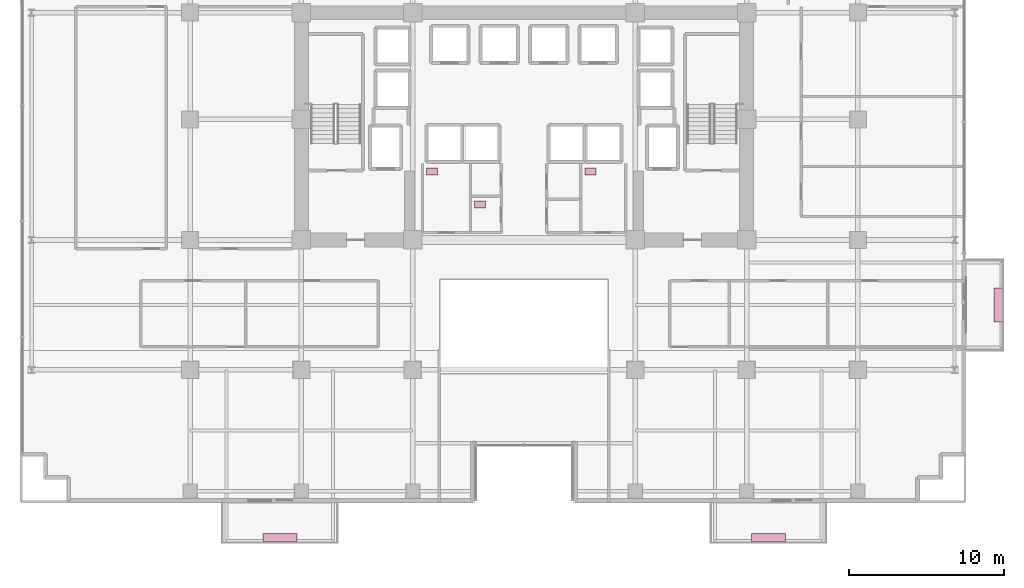
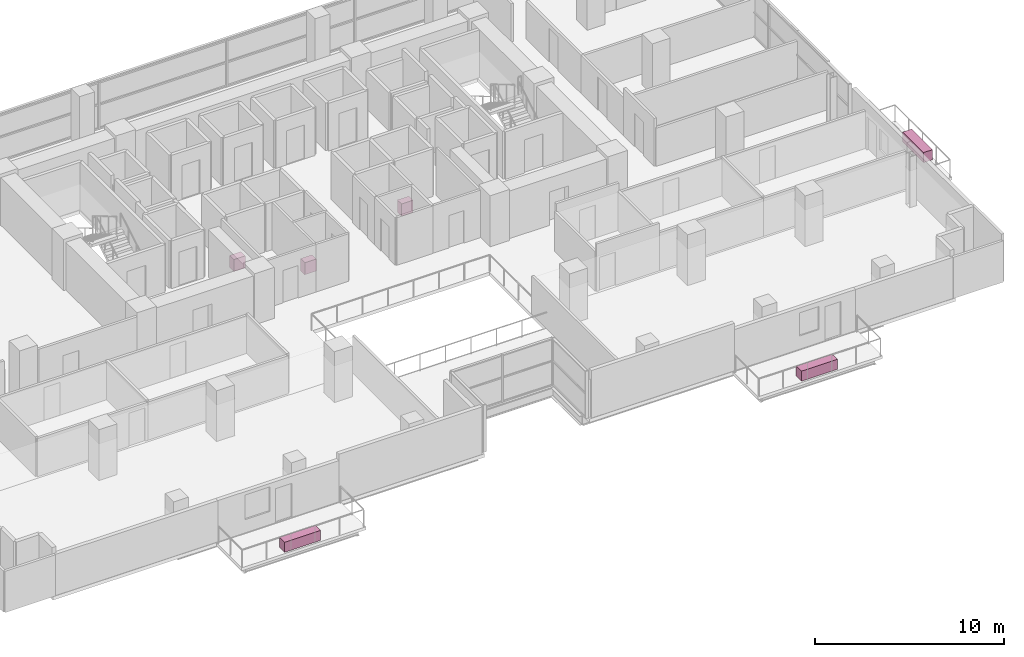
# One storey, part 30 of 30: 6 furnishings.
"""IFC4 building model written with IfcOpenShell, lengths in metres."""

from ifc_helpers import new_model, si_unit, direction, frame, origin, origin_2d, place, context, subcontext, project, spatial, rectangle, extrude, source, transform, mapped, material, type_object, element, save


model = new_model("IFC4")

# Units and contexts
model_context = context("Model", 3, precision=1e-05, world=origin(), true_north=direction((0.0, 1.0)))
body_context = subcontext(model_context, "Body", "Model", "MODEL_VIEW")
ifc_project = project(units=[si_unit("LENGTHUNIT", "METRE"), si_unit("AREAUNIT", "SQUARE_METRE"), si_unit("VOLUMEUNIT", "CUBIC_METRE"), si_unit("PLANEANGLEUNIT", "RADIAN"), si_unit("MASSUNIT", "GRAM", prefix="KILO")], contexts=[model_context])

# Site, building, storey
site_placement = place(None, origin())
site = spatial("IfcSite", under=ifc_project, at=site_placement, CompositionType="ELEMENT")
building_placement = place(site_placement, origin())
building = spatial("IfcBuilding", under=site, at=building_placement, Name="Zarnakvel Exchange Tower", CompositionType="ELEMENT")
storey_placement = place(building_placement, frame((0.0, 0.0, 43.89990234375)))
storey = spatial("IfcBuildingStorey", under=building, at=storey_placement, Name="L11", CompositionType="ELEMENT", Elevation=43.89990234375)

# Furnishings
ifc_material_1 = material(Name="Architectural Bronze Anodised Aluminium", Category="aluminium")
furnishing_element_type_1 = type_object("IfcFurnishingElementType", Name="PLNT-01", material=ifc_material_1)
shared_shape_1 = source(origin(), body_context, "Body", "SweptSolid", [
    extrude(rectangle(XDim=2.199951171875, YDim=0.550048828125, at=origin_2d()), origin(), (0.0, 0.0, 1.0), 0.64990234375),
])
for number, where, z_axis, x_axis, name in (
    (1, (-15.800048828125, -20.469970703125, -0.034912109375), (0.0, 0.0, 1.0), (1.0, 0.0, 0.0), "L11 Balcony Greenery Planter BAL-L11-SW"),
    (2, (15.800048828125, -20.469970703125, -0.034912109375), (0.0, 0.0, 1.0), (1.0, 0.0, 0.0), "L11 Balcony Greenery Planter BAL-L11-SE"),
    (3, (30.669921875, -5.39990234375, -0.034912109375), (0.0, 0.0, 1.0), (0.0, 1.0, 0.0), "L11 Balcony Greenery Planter BAL-L11-E"),
):
    element("IfcFurnishingElement", number, at=place(storey_placement, frame(where, z_axis=z_axis, x_axis=x_axis)), inside=storey, type_object=furnishing_element_type_1, Name=name, ObjectType="PLANTER", context=body_context, shape_type="MappedRepresentation", body=[
        mapped(shared_shape_1, transform((0.0, 0.0, 0.0), x_axis=(1.0, 0.0, 0.0), y_axis=(0.0, 1.0, 0.0), z_axis=(0.0, 0.0, 1.0), scale=1.0)),
    ])
ifc_material_2 = material(Name="Vitreous China Sanitaryware", Category="ceramic")
furnishing_element_type_2 = type_object("IfcFurnishingElementType", Name="SAN-WC", material=ifc_material_2)
shared_shape_2 = source(origin(), body_context, "Body", "SweptSolid", [
    extrude(rectangle(XDim=0.699951171875, YDim=0.449951171875, at=origin_2d()), origin(), (0.0, 0.0, 1.0), 0.780029296875),
])
for number, where, z_axis, x_axis, name in (
    (4, (-5.949951171875, 3.22998046875, 0.0), (0.0, 0.0, 1.0), (1.0, 0.0, 0.0), "L11 Sanitary Fixture (Male Toilet)"),
    (5, (-2.840087890625, 1.10009765625, 0.0), (0.0, 0.0, 1.0), (1.0, 0.0, 0.0), "L11 Sanitary Fixture (Accessible Toilet)"),
    (6, (4.31005859375, 3.22998046875, 0.0), (0.0, 0.0, 1.0), (1.0, 0.0, 0.0), "L11 Sanitary Fixture (Female Toilet)"),
):
    element("IfcFurnishingElement", number, at=place(storey_placement, frame(where, z_axis=z_axis, x_axis=x_axis)), inside=storey, type_object=furnishing_element_type_2, Name=name, ObjectType="SANITARY_FIXTURE", context=body_context, shape_type="MappedRepresentation", body=[
        mapped(shared_shape_2, transform((0.0, 0.0, 0.0), x_axis=(1.0, 0.0, 0.0), y_axis=(0.0, 1.0, 0.0), z_axis=(0.0, 0.0, 1.0), scale=1.0)),
    ])

save(model, "model.ifc")
